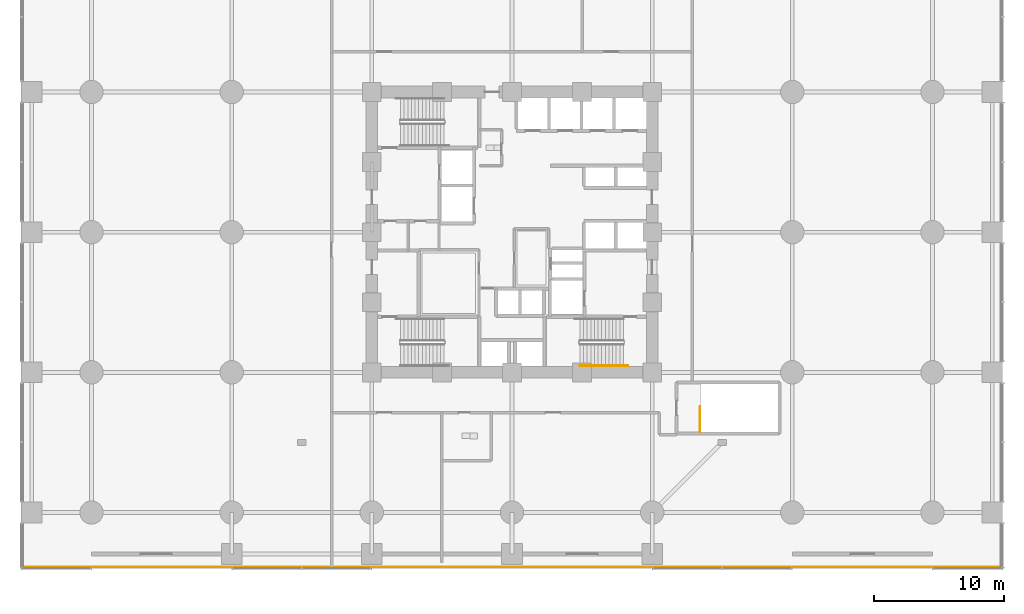
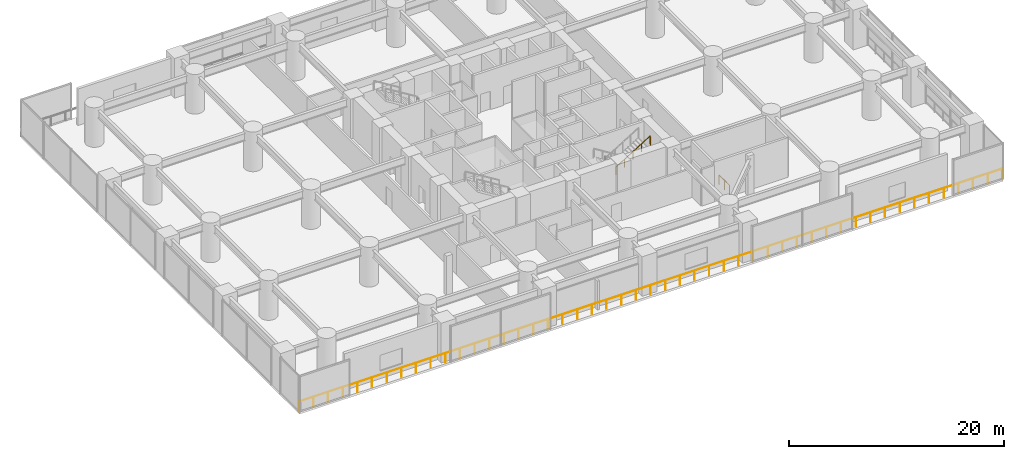
# One storey, part 32 of 35: 3 railings.
"""IFC4 building model written with IfcOpenShell, lengths in metres."""

from ifc_helpers import new_model, si_unit, direction, frame, origin, origin_2d, place, context, subcontext, project, spatial, circle, extrude, material, type_object, element, save


model = new_model("IFC4")

# Units and contexts
model_context = context("Model", 3, precision=1e-05, world=origin(), true_north=direction((0.0, 1.0)))
body_context = subcontext(model_context, "Body", "Model", "MODEL_VIEW")
ifc_project = project(units=[si_unit("LENGTHUNIT", "METRE"), si_unit("AREAUNIT", "SQUARE_METRE"), si_unit("VOLUMEUNIT", "CUBIC_METRE"), si_unit("PLANEANGLEUNIT", "RADIAN"), si_unit("MASSUNIT", "GRAM", prefix="KILO")], contexts=[model_context])

# Site, building, storey
site_placement = place(None, origin())
site = spatial("IfcSite", under=ifc_project, at=site_placement, CompositionType="ELEMENT")
building_placement = place(site_placement, origin())
building = spatial("IfcBuilding", under=site, at=building_placement, Name="Surkhivell Harbour Commons", CompositionType="ELEMENT")
storey_placement = place(building_placement, frame((0.0, 0.0, 13.5)))
storey = spatial("IfcBuildingStorey", under=building, at=storey_placement, Name="L03", CompositionType="ELEMENT", Elevation=13.5)

# Railings
ifc_material_1 = material(Name="Laminated safety glass and stainless steel S355 balustrade", Category="steel")
railing_type_1 = type_object("IfcRailingType", Name="RAL-BAL-1150", PredefinedType="BALUSTRADE", material=ifc_material_1)
railing_1_placement = place(storey_placement, frame((-37.800048828125, -25.800048828125, 0.0)))
element("IfcRailing", 1, at=railing_1_placement, inside=storey, type_object=railing_type_1, Name="L03 Perimeter Safety Guard 01", PredefinedType="BALUSTRADE", context=body_context, shape_type="SweptSolid", body=[
    extrude(circle(Radius=0.02392578125, at=origin_2d()), frame((0.0, 0.0, 1.1259765625), z_axis=(1.0, 0.0, 0.0), x_axis=(0.0, 1.0, 0.0)), (0.0, 0.0, 1.0), 75.60009765625),
    extrude(circle(Radius=0.02099609375, at=origin_2d()), origin(), (0.0, 0.0, 1.0), 1.101806640625),
    extrude(circle(Radius=0.02099609375, at=origin_2d()), frame((1.574951171875, 0.0, 0.0)), (0.0, 0.0, 1.0), 1.101806640625),
    extrude(circle(Radius=0.02099609375, at=origin_2d()), frame((3.14990234375, 0.0, 0.0)), (0.0, 0.0, 1.0), 1.101806640625),
    extrude(circle(Radius=0.02099609375, at=origin_2d()), frame((4.72509765625, 0.0, 0.0)), (0.0, 0.0, 1.0), 1.101806640625),
    extrude(circle(Radius=0.02099609375, at=origin_2d()), frame((6.300048828125, 0.0, 0.0)), (0.0, 0.0, 1.0), 1.101806640625),
    extrude(circle(Radius=0.02099609375, at=origin_2d()), frame((7.875, 0.0, 0.0)), (0.0, 0.0, 1.0), 1.101806640625),
    extrude(circle(Radius=0.02099609375, at=origin_2d()), frame((9.449951171875, 0.0, 0.0)), (0.0, 0.0, 1.0), 1.101806640625),
    extrude(circle(Radius=0.02099609375, at=origin_2d()), frame((11.02490234375, 0.0, 0.0)), (0.0, 0.0, 1.0), 1.101806640625),
    extrude(circle(Radius=0.02099609375, at=origin_2d()), frame((12.60009765625, 0.0, 0.0)), (0.0, 0.0, 1.0), 1.101806640625),
    extrude(circle(Radius=0.02099609375, at=origin_2d()), frame((14.175048828125, 0.0, 0.0)), (0.0, 0.0, 1.0), 1.101806640625),
    extrude(circle(Radius=0.02099609375, at=origin_2d()), frame((15.75, 0.0, 0.0)), (0.0, 0.0, 1.0), 1.101806640625),
    extrude(circle(Radius=0.02099609375, at=origin_2d()), frame((17.324951171875, 0.0, 0.0)), (0.0, 0.0, 1.0), 1.101806640625),
    extrude(circle(Radius=0.02099609375, at=origin_2d()), frame((18.89990234375, 0.0, 0.0)), (0.0, 0.0, 1.0), 1.101806640625),
    extrude(circle(Radius=0.02099609375, at=origin_2d()), frame((20.47509765625, 0.0, 0.0)), (0.0, 0.0, 1.0), 1.101806640625),
    extrude(circle(Radius=0.02099609375, at=origin_2d()), frame((22.050048828125, 0.0, 0.0)), (0.0, 0.0, 1.0), 1.101806640625),
    extrude(circle(Radius=0.02099609375, at=origin_2d()), frame((23.625, 0.0, 0.0)), (0.0, 0.0, 1.0), 1.101806640625),
    extrude(circle(Radius=0.02099609375, at=origin_2d()), frame((25.199951171875, 0.0, 0.0)), (0.0, 0.0, 1.0), 1.101806640625),
    extrude(circle(Radius=0.02099609375, at=origin_2d()), frame((26.775146484375, 0.0, 0.0)), (0.0, 0.0, 1.0), 1.101806640625),
    extrude(circle(Radius=0.02099609375, at=origin_2d()), frame((28.35009765625, 0.0, 0.0)), (0.0, 0.0, 1.0), 1.101806640625),
    extrude(circle(Radius=0.02099609375, at=origin_2d()), frame((29.925048828125, 0.0, 0.0)), (0.0, 0.0, 1.0), 1.101806640625),
    extrude(circle(Radius=0.02099609375, at=origin_2d()), frame((31.5, 0.0, 0.0)), (0.0, 0.0, 1.0), 1.101806640625),
    extrude(circle(Radius=0.02099609375, at=origin_2d()), frame((33.074951171875, 0.0, 0.0)), (0.0, 0.0, 1.0), 1.101806640625),
    extrude(circle(Radius=0.02099609375, at=origin_2d()), frame((34.650146484375, 0.0, 0.0)), (0.0, 0.0, 1.0), 1.101806640625),
    extrude(circle(Radius=0.02099609375, at=origin_2d()), frame((36.22509765625, 0.0, 0.0)), (0.0, 0.0, 1.0), 1.101806640625),
    extrude(circle(Radius=0.02099609375, at=origin_2d()), frame((37.800048828125, 0.0, 0.0)), (0.0, 0.0, 1.0), 1.101806640625),
    extrude(circle(Radius=0.02099609375, at=origin_2d()), frame((39.375, 0.0, 0.0)), (0.0, 0.0, 1.0), 1.101806640625),
    extrude(circle(Radius=0.02099609375, at=origin_2d()), frame((40.949951171875, 0.0, 0.0)), (0.0, 0.0, 1.0), 1.101806640625),
    extrude(circle(Radius=0.02099609375, at=origin_2d()), frame((42.525146484375, 0.0, 0.0)), (0.0, 0.0, 1.0), 1.101806640625),
    extrude(circle(Radius=0.02099609375, at=origin_2d()), frame((44.10009765625, 0.0, 0.0)), (0.0, 0.0, 1.0), 1.101806640625),
    extrude(circle(Radius=0.02099609375, at=origin_2d()), frame((45.675048828125, 0.0, 0.0)), (0.0, 0.0, 1.0), 1.101806640625),
    extrude(circle(Radius=0.02099609375, at=origin_2d()), frame((47.25, 0.0, 0.0)), (0.0, 0.0, 1.0), 1.101806640625),
    extrude(circle(Radius=0.02099609375, at=origin_2d()), frame((48.824951171875, 0.0, 0.0)), (0.0, 0.0, 1.0), 1.101806640625),
    extrude(circle(Radius=0.02099609375, at=origin_2d()), frame((50.400146484375, 0.0, 0.0)), (0.0, 0.0, 1.0), 1.101806640625),
    extrude(circle(Radius=0.02099609375, at=origin_2d()), frame((51.97509765625, 0.0, 0.0)), (0.0, 0.0, 1.0), 1.101806640625),
    extrude(circle(Radius=0.02099609375, at=origin_2d()), frame((53.550048828125, 0.0, 0.0)), (0.0, 0.0, 1.0), 1.101806640625),
    extrude(circle(Radius=0.02099609375, at=origin_2d()), frame((55.125, 0.0, 0.0)), (0.0, 0.0, 1.0), 1.101806640625),
    extrude(circle(Radius=0.02099609375, at=origin_2d()), frame((56.7001953125, 0.0, 0.0)), (0.0, 0.0, 1.0), 1.101806640625),
    extrude(circle(Radius=0.02099609375, at=origin_2d()), frame((58.275146484375, 0.0, 0.0)), (0.0, 0.0, 1.0), 1.101806640625),
    extrude(circle(Radius=0.02099609375, at=origin_2d()), frame((59.85009765625, 0.0, 0.0)), (0.0, 0.0, 1.0), 1.101806640625),
    extrude(circle(Radius=0.02099609375, at=origin_2d()), frame((61.425048828125, 0.0, 0.0)), (0.0, 0.0, 1.0), 1.101806640625),
    extrude(circle(Radius=0.02099609375, at=origin_2d()), frame((63.0, 0.0, 0.0)), (0.0, 0.0, 1.0), 1.101806640625),
    extrude(circle(Radius=0.02099609375, at=origin_2d()), frame((64.5751953125, 0.0, 0.0)), (0.0, 0.0, 1.0), 1.101806640625),
    extrude(circle(Radius=0.02099609375, at=origin_2d()), frame((66.150146484375, 0.0, 0.0)), (0.0, 0.0, 1.0), 1.101806640625),
    extrude(circle(Radius=0.02099609375, at=origin_2d()), frame((67.72509765625, 0.0, 0.0)), (0.0, 0.0, 1.0), 1.101806640625),
    extrude(circle(Radius=0.02099609375, at=origin_2d()), frame((69.300048828125, 0.0, 0.0)), (0.0, 0.0, 1.0), 1.101806640625),
    extrude(circle(Radius=0.02099609375, at=origin_2d()), frame((70.875, 0.0, 0.0)), (0.0, 0.0, 1.0), 1.101806640625),
    extrude(circle(Radius=0.02099609375, at=origin_2d()), frame((72.4501953125, 0.0, 0.0)), (0.0, 0.0, 1.0), 1.101806640625),
    extrude(circle(Radius=0.02099609375, at=origin_2d()), frame((74.025146484375, 0.0, 0.0)), (0.0, 0.0, 1.0), 1.101806640625),
    extrude(circle(Radius=0.02099609375, at=origin_2d()), frame((75.60009765625, 0.0, 0.0)), (0.0, 0.0, 1.0), 1.101806640625),
])
ifc_material_2 = material(Name="Galvanised and painted steel S355 guard rail", Category="steel")
railing_type_2 = type_object("IfcRailingType", Name="RAL-ST-GRD1100", PredefinedType="GUARDRAIL", material=ifc_material_2)
railing_2_placement = place(storey_placement, frame((14.5, -15.39990234375, 0.0)))
element("IfcRailing", 2, at=railing_2_placement, inside=storey, type_object=railing_type_2, Name="L03 ST4 top well guard 1", PredefinedType="GUARDRAIL", context=body_context, shape_type="SweptSolid", body=[
    extrude(circle(Radius=0.02392578125, at=origin_2d()), frame((0.0, 0.0, 1.076171875), z_axis=(0.0, 1.0, 0.0), x_axis=(-1.0, 0.0, 0.0)), (0.0, 0.0, 1.0), 1.949951171875),
    extrude(circle(Radius=0.02099609375, at=origin_2d()), origin(), (0.0, 0.0, 1.0), 1.052001953125),
    extrude(circle(Radius=0.02099609375, at=origin_2d()), frame((0.0, 0.97509765625, 0.0)), (0.0, 0.0, 1.0), 1.052001953125),
    extrude(circle(Radius=0.02099609375, at=origin_2d()), frame((0.0, 1.949951171875, 0.0)), (0.0, 0.0, 1.0), 1.052001953125),
])
ifc_material_3 = material(Name="Brushed stainless steel S355 handrail", Category="steel")
railing_type_3 = type_object("IfcRailingType", Name="RAL-ST-HND900", PredefinedType="HANDRAIL", material=ifc_material_3)
railing_3_placement = place(storey_placement, frame((5.22998046875, -10.2900390625, 2.423095703125)))
element("IfcRailing", 3, at=railing_3_placement, inside=storey, type_object=railing_type_3, Name="L03 ST2 stair handrail 2", PredefinedType="HANDRAIL", context=body_context, shape_type="SweptSolid", body=[
    extrude(circle(Radius=0.02392578125, at=origin_2d()), frame((0.0, 0.0, 0.8759765625), z_axis=(0.850622404505, 0.0, 0.525777067734), x_axis=(0.0, 1.0, 0.0)), (0.0, 0.0, 1.0), 4.279296875),
    extrude(circle(Radius=0.02392578125, at=origin_2d()), frame((3.64013671875, 0.0, 3.1259765625), z_axis=(0.418814502111, 0.0, -0.908071810388), x_axis=(0.0, 1.0, 0.0)), (0.0, 0.0, 1.0), 0.190673828125),
    extrude(circle(Radius=0.02099609375, at=origin_2d()), origin(), (0.0, 0.0, 1.0), 0.851806640625),
    extrude(circle(Radius=0.02099609375, at=origin_2d()), frame((0.91015625, 0.0, 0.5625)), (0.0, 0.0, 1.0), 0.851806640625),
    extrude(circle(Radius=0.02099609375, at=origin_2d()), frame((1.820068359375, 0.0, 1.125)), (0.0, 0.0, 1.0), 0.851806640625),
    extrude(circle(Radius=0.02099609375, at=origin_2d()), frame((2.72998046875, 0.0, 1.6875)), (0.0, 0.0, 1.0), 0.851806640625),
    extrude(circle(Radius=0.02099609375, at=origin_2d()), frame((3.64013671875, 0.0, 2.25)), (0.0, 0.0, 1.0), 0.851806640625),
    extrude(circle(Radius=0.02099609375, at=origin_2d()), frame((3.719970703125, 0.0, 2.076904296875)), (0.0, 0.0, 1.0), 0.851806640625),
])

save(model, "model.ifc")
